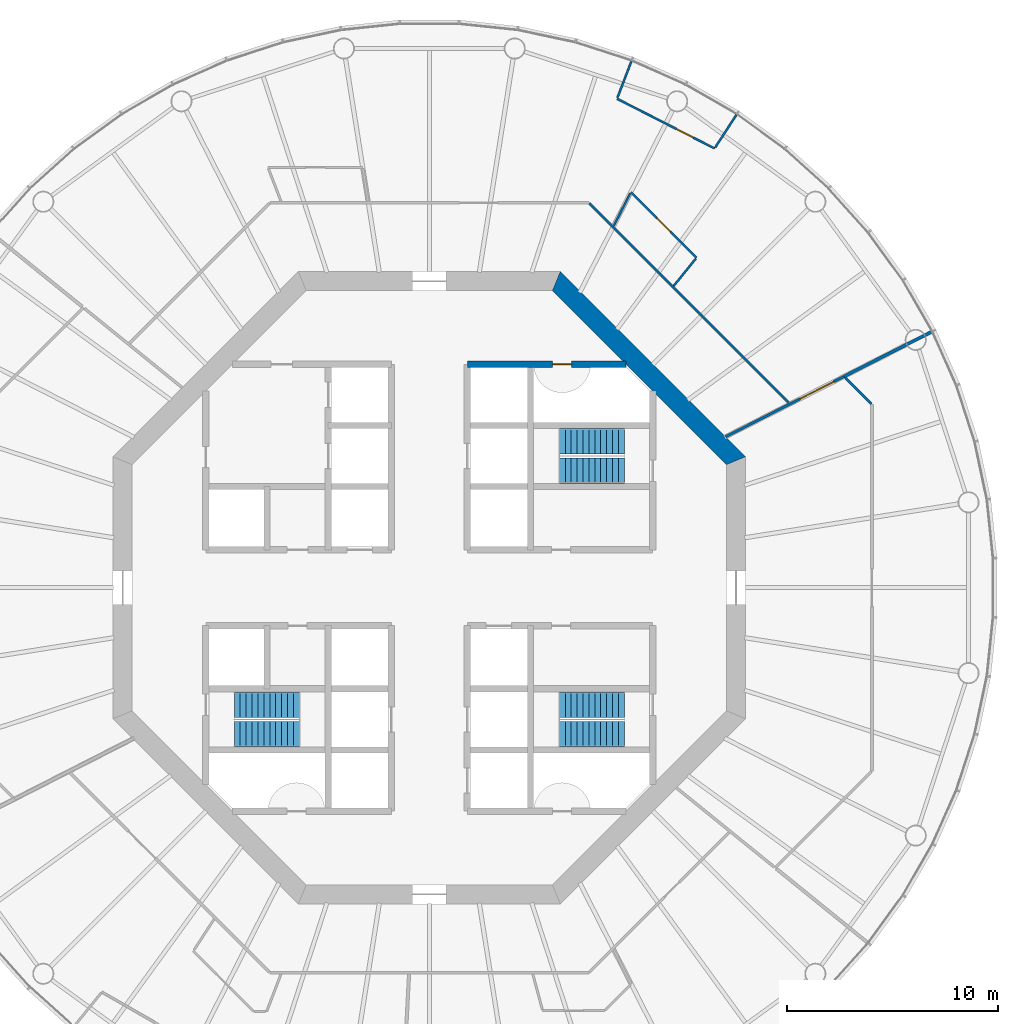
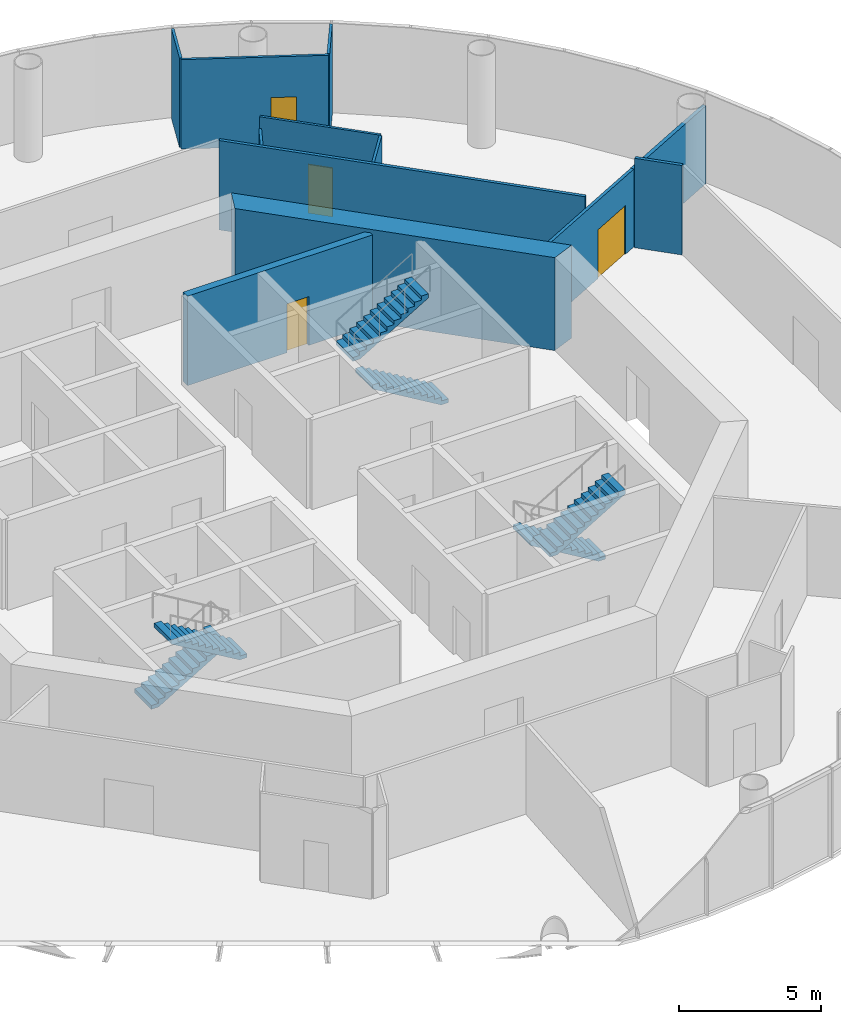
# One storey, part 5 of 12: 12 walls, 6 stair flights, 4 doors, 4 openings, 3 elements without a shape of their own.
"""IFC4 building model written with IfcOpenShell, lengths in metres."""

from ifc_helpers import new_model, si_unit, direction, frame, frame_2d, origin, place, context, subcontext, project, spatial, polyline, rectangle, outline, extrude, material, layer, layer_set, type_object, element, fill, aggregate, save


model = new_model("IFC4")

# Units and contexts
model_context = context("Model", 3, precision=1e-05, world=origin(), true_north=direction((0.0, 1.0)))
body_context = subcontext(model_context, "Body", "Model", "MODEL_VIEW")
ifc_project = project(units=[si_unit("LENGTHUNIT", "METRE"), si_unit("AREAUNIT", "SQUARE_METRE"), si_unit("VOLUMEUNIT", "CUBIC_METRE"), si_unit("PLANEANGLEUNIT", "RADIAN"), si_unit("MASSUNIT", "GRAM", prefix="KILO")], contexts=[model_context])

# Site, building, storey
site_placement = place(None, origin())
site = spatial("IfcSite", under=ifc_project, at=site_placement, CompositionType="ELEMENT")
building_placement = place(site_placement, origin())
building = spatial("IfcBuilding", under=site, at=building_placement, Name="Entoto Ring Tower", CompositionType="ELEMENT")
storey_placement = place(building_placement, frame((0.0, 0.0, 254.0)))
storey = spatial("IfcBuildingStorey", under=building, at=storey_placement, Name="L58", CompositionType="ELEMENT", Elevation=254.0)

# Wall, opening, door
ifc_material_1 = material(Name="Concrete C40/50", Category="concrete")
ifc_layer_1 = layer(ifc_material_1, 0.300048828125)
ifc_layer_set_1 = layer_set([ifc_layer_1], Name="Concrete C40/50")
wall_type_1 = type_object("IfcWallType", Name="Core enclosure wall 300 mm reinforced concrete", PredefinedType="SOLIDWALL", material=ifc_layer_set_1)
wall_1_placement = place(storey_placement, frame((91.800048828125, 90.60009765625, 0.0), z_axis=(0.0, 0.0, 1.0), x_axis=(1.0, 0.0, 0.0)))
wall_1 = element("IfcWall", 1, at=wall_1_placement, inside=storey, type_object=wall_type_1, Name="wall-L58-030", PredefinedType="SOLIDWALL", context=body_context, shape_type="SweptSolid", body=[
    extrude(rectangle(XDim=7.540283203125, YDim=0.300048828125, at=frame_2d((3.77001953125, 0.0))), origin(), (0.0, 0.0, 1.0), 3.85009765625),
])
opening_1_placement = place(wall_1_placement, frame((4.050048828125, 0.0, 0.0)))
opening_1 = element("IfcOpeningElement", 2, at=opening_1_placement, cuts=wall_1, Name="Opening K-60", PredefinedType="OPENING", context=body_context, shape_type="SweptSolid", body=[
    extrude(rectangle(XDim=0.89990234375, YDim=2.10009765625, at=frame_2d((0.449951171875, 1.050048828125))), frame((0.0, 0.16015625, 0.0), z_axis=(0.0, -1.0, 0.0), x_axis=(1.0, 0.0, 0.0)), (0.0, 0.0, 1.0), 0.320068359375),
])
ifc_material_2 = material(Name="Steel door leaf, fire rated", Category="steel")
ifc_layer_2 = layer(ifc_material_2, 0.050048828125)
ifc_layer_set_2 = layer_set([ifc_layer_2], Name="Steel door leaf, fire rated")
door_type_1 = type_object("IfcDoorType", Name="Riser door FD60 900 x 2100 single leaf", OperationType="NOTDEFINED", PredefinedType="DOOR", material=ifc_layer_set_2)
door_1_placement = place(opening_1_placement, frame((0.89990234375, 0.0, 0.0), z_axis=(0.0, 0.0, 1.0), x_axis=(-1.0, 0.0, 0.0)))
door_1 = element("IfcDoor", 3, at=door_1_placement, inside=storey, type_object=door_type_1, Name="Door K-60", OperationType="SINGLE_SWING_RIGHT", OverallHeight=2.10009765625, OverallWidth=0.89990234375, PredefinedType="DOOR", context=body_context, shape_type="SweptSolid", body=[
    extrude(rectangle(XDim=0.89990234375, YDim=2.10009765625, at=frame_2d((0.449951171875, 1.050048828125))), frame((0.0, 0.02490234375, 0.0), z_axis=(0.0, -1.0, 0.0), x_axis=(1.0, 0.0, 0.0)), (0.0, 0.0, 1.0), 0.050048828125),
])
fill(opening_1, door_1)

# Walls
ifc_material_3 = material(Name="Concrete C50/60", Category="concrete")
ifc_layer_3 = layer(ifc_material_3, 0.89990234375)
ifc_layer_set_3 = layer_set([ifc_layer_3], Name="Concrete C50/60")
wall_type_2 = type_object("IfcWallType", Name="Core shear wall 900 mm reinforced concrete C50/60", PredefinedType="SHEAR", material=ifc_layer_set_3)
wall_2_placement = place(storey_placement, frame((104.550048828125, 86.02685546875, 0.0), z_axis=(0.0, 0.0, 1.0), x_axis=(-0.707106781187, 0.707106781187, 0.0)))
element("IfcWall", 4, at=wall_2_placement, inside=storey, type_object=wall_type_2, Name="wall-L58-core-1", PredefinedType="SHEAR", context=body_context, shape_type="SweptSolid", body=[
    extrude(outline(polyline([(-0.186279296875, -0.449951171875), (12.239990234375, -0.449951171875), (11.867431640625, 0.449951171875), (0.186279296875, 0.449951171875), (-0.186279296875, -0.449951171875)])), origin(), (0.0, 0.0, 1.0), 4.0),
])
ifc_material_4 = material(Name="Fire-resisting plasterboard on steel studs", Category="steel")
ifc_layer_4 = layer(ifc_material_4, 0.125)
ifc_layer_set_4 = layer_set([ifc_layer_4], Name="Fire-resisting plasterboard on steel studs")
wall_type_3 = type_object("IfcWallType", Name="Corridor wall 125 mm one-hour plasterboard on steel studs", PredefinedType="PARTITIONING", material=ifc_layer_set_4)
wall_3_placement = place(storey_placement, frame((107.048583984375, 88.7783203125, 0.0), z_axis=(0.0, 0.0, 1.0), x_axis=(-0.707097649982, 0.707115912273, 0.0)))
element("IfcWall", 5, at=wall_3_placement, inside=storey, type_object=wall_type_3, Name="partition-L58-006", PredefinedType="PARTITIONING", context=body_context, shape_type="SweptSolid", body=[
    extrude(rectangle(XDim=13.36865234375, YDim=0.125, at=frame_2d((6.684326171875, 0.0))), origin(), (0.0, 0.0, 1.0), 3.85009765625),
])
wall_4_placement = place(storey_placement, frame((110.968994140625, 88.7294921875, 0.0), z_axis=(0.0, 0.0, 1.0), x_axis=(-0.707106781187, 0.707106781187, 0.0)))
element("IfcWall", 6, at=wall_4_placement, inside=storey, type_object=wall_type_3, Name="partition-L58-016", PredefinedType="PARTITIONING", context=body_context, shape_type="SweptSolid", body=[
    extrude(rectangle(XDim=1.732177734375, YDim=0.125, at=frame_2d((0.8662109375, 0.0))), origin(), (0.0, 0.0, 1.0), 3.85009765625),
])

# Wall, opening, door
ifc_material_5 = material(Name="Fire-resisting plasterboard on steel studs", Category="steel")
ifc_layer_5 = layer(ifc_material_5, 0.125)
ifc_layer_set_5 = layer_set([ifc_layer_5], Name="Fire-resisting plasterboard on steel studs")
wall_type_4 = type_object("IfcWallType", Name="Corridor wall 125 mm one-hour plasterboard on steel studs, 3350 mm high", PredefinedType="PARTITIONING", material=ifc_layer_set_5)
wall_5_placement = place(storey_placement, frame((104.052978515625, 87.160400390625, 0.0), z_axis=(0.0, 0.0, 1.0), x_axis=(0.891011438751, 0.453980854238, 0.0)))
wall_5 = element("IfcWall", 7, at=wall_5_placement, inside=storey, type_object=wall_type_4, Name="partition-L58-011", PredefinedType="PARTITIONING", context=body_context, shape_type="SweptSolid", body=[
    extrude(rectangle(XDim=6.30859375, YDim=0.125, at=frame_2d((3.154296875, 0.0))), origin(), (0.0, 0.0, 1.0), 3.35009765625),
])
opening_2_placement = place(wall_5_placement, frame((3.969482421875, 0.0, 0.0)))
opening_2 = element("IfcOpeningElement", 8, at=opening_2_placement, cuts=wall_5, Name="Opening A25-D04", PredefinedType="OPENING", context=body_context, shape_type="SweptSolid", body=[
    extrude(rectangle(XDim=1.800048828125, YDim=2.10009765625, at=frame_2d((0.89990234375, 1.050048828125))), frame((0.0, 0.072509765625, 0.0), z_axis=(0.0, -1.0, 0.0), x_axis=(1.0, 0.0, 0.0)), (0.0, 0.0, 1.0), 0.14501953125),
])
ifc_material_6 = material(Name="Fire-resisting timber door set", Category="wood")
door_type_2 = type_object("IfcDoorType", Name="Door 1800 x 2100 double leaf FD30S fire door", OperationType="DOUBLE_DOOR_SINGLE_SWING", PredefinedType="DOOR", material=ifc_material_6)
door_2_placement = place(opening_2_placement, origin())
door_2 = element("IfcDoor", 9, at=door_2_placement, inside=storey, type_object=door_type_2, Name="Door A25-D04", OperationType="DOUBLE_DOOR_SINGLE_SWING", OverallHeight=2.10009765625, OverallWidth=1.800048828125, PredefinedType="DOOR", context=body_context, shape_type="SweptSolid", body=[
    extrude(rectangle(XDim=1.800048828125, YDim=2.10009765625, at=frame_2d((0.89990234375, 1.050048828125))), frame((0.0, 0.02490234375, 0.0), z_axis=(0.0, -1.0, 0.0), x_axis=(1.0, 0.0, 0.0)), (0.0, 0.0, 1.0), 0.050048828125),
])
fill(opening_2, door_2)

ifc_material_7 = material(Name="Plasterboard on steel studs", Category="steel")
ifc_layer_6 = layer(ifc_material_7, 0.10009765625)
ifc_layer_set_6 = layer_set([ifc_layer_6], Name="Plasterboard on steel studs")
wall_type_5 = type_object("IfcWallType", Name="Partition 100 mm plasterboard on steel studs", PredefinedType="PARTITIONING", material=ifc_layer_set_6)
wall_6_placement = place(storey_placement, frame((103.5341796875, 100.841064453125, 0.0), z_axis=(0.0, 0.0, 1.0), x_axis=(-0.891008292102, 0.453987029997, 0.0)))
wall_6 = element("IfcWall", 10, at=wall_6_placement, inside=storey, type_object=wall_type_5, Name="partition-L58-023", PredefinedType="PARTITIONING", context=body_context, shape_type="SweptSolid", body=[
    extrude(rectangle(XDim=5.19482421875, YDim=0.10009765625, at=frame_2d((2.597412109375, 0.0))), origin(), (0.0, 0.0, 1.0), 3.85009765625),
])
opening_3_placement = place(wall_6_placement, frame((1.12890625, 0.0, 0.0)))
opening_3 = element("IfcOpeningElement", 11, at=opening_3_placement, cuts=wall_6, Name="Opening A25-D07", PredefinedType="OPENING", context=body_context, shape_type="SweptSolid", body=[
    extrude(rectangle(XDim=0.89990234375, YDim=2.10009765625, at=frame_2d((0.449951171875, 1.050048828125))), frame((0.0, 0.06005859375, 0.0), z_axis=(0.0, -1.0, 0.0), x_axis=(1.0, 0.0, 0.0)), (0.0, 0.0, 1.0), 0.1201171875),
])
ifc_material_8 = material(Name="Veneered timber door leaf in timber frame", Category="wood")
door_type_3 = type_object("IfcDoorType", Name="Door 900 x 2100 single leaf timber veneer", OperationType="NOTDEFINED", PredefinedType="DOOR", material=ifc_material_8)
door_3_placement = place(opening_3_placement, frame((0.89990234375, 0.0, 0.0), z_axis=(0.0, 0.0, 1.0), x_axis=(-1.0, 0.0, 0.0)))
door_3 = element("IfcDoor", 12, at=door_3_placement, inside=storey, type_object=door_type_3, Name="Door A25-D07", OperationType="SINGLE_SWING_RIGHT", OverallHeight=2.10009765625, OverallWidth=0.89990234375, PredefinedType="DOOR", context=body_context, shape_type="SweptSolid", body=[
    extrude(rectangle(XDim=0.89990234375, YDim=2.10009765625, at=frame_2d((0.449951171875, 1.050048828125))), frame((0.0, 0.02490234375, 0.0), z_axis=(0.0, -1.0, 0.0), x_axis=(1.0, 0.0, 0.0)), (0.0, 0.0, 1.0), 0.050048828125),
])
fill(opening_3, door_3)

wall_7_placement = place(storey_placement, frame((102.67626953125, 95.65380859375, 0.0), z_axis=(0.0, 0.0, 1.0), x_axis=(-0.707106781187, 0.707106781187, 0.0)))
wall_7 = element("IfcWall", 13, at=wall_7_placement, inside=storey, type_object=wall_type_5, Name="partition-L58-026", PredefinedType="PARTITIONING", context=body_context, shape_type="SweptSolid", body=[
    extrude(rectangle(XDim=4.403564453125, YDim=0.10009765625, at=frame_2d((2.20166015625, 0.0))), origin(), (0.0, 0.0, 1.0), 3.85009765625),
])
opening_4_placement = place(wall_7_placement, frame((1.751708984375, 0.0, 0.0)))
opening_4 = element("IfcOpeningElement", 14, at=opening_4_placement, cuts=wall_7, Name="Opening A25-D05", PredefinedType="OPENING", context=body_context, shape_type="SweptSolid", body=[
    extrude(rectangle(XDim=0.89990234375, YDim=2.10009765625, at=frame_2d((0.449951171875, 1.050048828125))), frame((0.0, 0.06005859375, 0.0), z_axis=(0.0, -1.0, 0.0), x_axis=(1.0, 0.0, 0.0)), (0.0, 0.0, 1.0), 0.1201171875),
])
door_4_placement = place(opening_4_placement, origin())
door_4 = element("IfcDoor", 15, at=door_4_placement, inside=storey, type_object=door_type_3, Name="Door A25-D05", OperationType="SINGLE_SWING_RIGHT", OverallHeight=2.10009765625, OverallWidth=0.89990234375, PredefinedType="DOOR", context=body_context, shape_type="SweptSolid", body=[
    extrude(rectangle(XDim=0.89990234375, YDim=2.10009765625, at=frame_2d((0.449951171875, 1.050048828125))), frame((0.0, 0.02490234375, 0.0), z_axis=(0.0, -1.0, 0.0), x_axis=(1.0, 0.0, 0.0)), (0.0, 0.0, 1.0), 0.050048828125),
])
fill(opening_4, door_4)

# Walls
for number, where, z_axis, x_axis, name in (
    (16, (98.923095703125, 103.245849609375, 0.0), (0.0, 0.0, 1.0), (0.358454526413, 0.933547188145, 0.0), "partition-L58-035"),
    (17, (103.561279296875, 100.882568359375, 0.0), (0.0, 0.0, 1.0), (0.544680573421, 0.838643591127, 0.0), "partition-L58-036"),
):
    element("IfcWall", number, at=place(storey_placement, frame(where, z_axis=z_axis, x_axis=x_axis)), inside=storey, type_object=wall_type_5, Name=name, PredefinedType="PARTITIONING", context=body_context, shape_type="SweptSolid", body=[
        extrude(rectangle(XDim=1.84033203125, YDim=0.10009765625, at=frame_2d((0.920166015625, 0.0))), origin(), (0.0, 0.0, 1.0), 3.85009765625),
    ])
wall_8_placement = place(storey_placement, frame((101.59912109375, 94.32373046875, 0.0), z_axis=(0.0, 0.0, 1.0), x_axis=(0.629341903283, 0.777128540701, 0.0)))
element("IfcWall", 18, at=wall_8_placement, inside=storey, type_object=wall_type_5, Name="partition-L58-042", PredefinedType="PARTITIONING", context=body_context, shape_type="SweptSolid", body=[
    extrude(rectangle(XDim=1.661865234375, YDim=0.10009765625, at=frame_2d((0.8310546875, 0.0))), origin(), (0.0, 0.0, 1.0), 3.85009765625),
])
ifc_material_9 = material(Name="Plasterboard on steel studs", Category="steel")
ifc_layer_7 = layer(ifc_material_9, 0.10009765625)
ifc_layer_set_7 = layer_set([ifc_layer_7], Name="Plasterboard on steel studs")
wall_type_6 = type_object("IfcWallType", Name="Partition 100 mm plasterboard on steel studs, 3350 mm high", PredefinedType="PARTITIONING", material=ifc_layer_set_7)
wall_9_placement = place(storey_placement, frame((98.7548828125, 97.182373046875, 0.0), z_axis=(0.0, 0.0, 1.0), x_axis=(0.453994195604, 0.891004641042, 0.0)))
element("IfcWall", 19, at=wall_9_placement, inside=storey, type_object=wall_type_6, Name="partition-L58-039", PredefinedType="PARTITIONING", context=body_context, shape_type="SweptSolid", body=[
    extrude(rectangle(XDim=1.710693359375, YDim=0.10009765625, at=frame_2d((0.85546875, 0.0))), origin(), (0.0, 0.0, 1.0), 3.35009765625),
])
ifc_material_10 = material(Name="Fire-resisting acoustic plasterboard on steel studs", Category="steel")
ifc_layer_8 = layer(ifc_material_10, 0.14990234375)
ifc_layer_set_8 = layer_set([ifc_layer_8], Name="Fire-resisting acoustic plasterboard on steel studs")
wall_type_7 = type_object("IfcWallType", Name="Party wall 150 mm one-hour acoustic plasterboard on steel studs, 3350 mm high", PredefinedType="PARTITIONING", material=ifc_layer_set_8)
wall_10_placement = place(storey_placement, frame((109.67431640625, 90.0244140625, 0.0), z_axis=(0.0, 0.0, 1.0), x_axis=(0.89099510326, 0.454012913877, 0.0)))
element("IfcWall", 20, at=wall_10_placement, inside=storey, type_object=wall_type_7, Name="partition-L58-020", PredefinedType="PARTITIONING", context=body_context, shape_type="SweptSolid", body=[
    extrude(rectangle(XDim=4.658935546875, YDim=0.14990234375, at=frame_2d((2.32958984375, 0.0))), origin(), (0.0, 0.0, 1.0), 3.35009765625),
])

# Stair, stair flights
ifc_material_11 = material(Name="Concrete C40/50", Category="concrete")
stair_type = type_object("IfcStairType", Name="Exit stair 1200 mm dog-leg reinforced concrete", PredefinedType="HALF_TURN_STAIR", material=ifc_material_11)
stair_1_placement = place(storey_placement, origin())
stair_1 = element("IfcStair", 21, at=stair_1_placement, inside=storey, type_object=stair_type, Name="Exit stair 1", PredefinedType="HALF_TURN_STAIR")
ifc_material_12 = material(Name="Concrete C40/50", Category="concrete")
stair_flight_type = type_object("IfcStairFlightType", Name="Stair flight 1200 mm reinforced concrete", PredefinedType="STRAIGHT", material=ifc_material_12)
stair_flight_1_placement = place(storey_placement, frame((99.25, 85.550048828125, 0.0), z_axis=(0.0, 0.0, 1.0), x_axis=(-1.0, 0.0, 0.0)))
stair_flight_1 = element("IfcStairFlight", 22, at=stair_flight_1_placement, type_object=stair_flight_type, Name="ST1 flight 1", NumberOfRisers=12, NumberOfTreads=11, PredefinedType="STRAIGHT", RiserHeight=0.166666667, TreadLength=0.28, context=body_context, shape_type="SweptSolid", body=[
    extrude(outline(polyline([(0.0, 0.0), (0.0, 0.166748046875), (0.280029296875, 0.166748046875), (0.280029296875, 0.333251953125), (0.56005859375, 0.333251953125), (0.56005859375, 0.5), (0.840087890625, 0.5), (0.840087890625, 0.666748046875), (1.1201171875, 0.666748046875), (1.1201171875, 0.833251953125), (1.39990234375, 0.833251953125), (1.39990234375, 1.0), (1.679931640625, 1.0), (1.679931640625, 1.166748046875), (1.9599609375, 1.166748046875), (1.9599609375, 1.333251953125), (2.239990234375, 1.333251953125), (2.239990234375, 1.5), (2.52001953125, 1.5), (2.52001953125, 1.666748046875), (2.800048828125, 1.666748046875), (2.800048828125, 1.833251953125), (3.080078125, 1.833251953125), (3.080078125, 2.0), (3.080078125, 1.658935546875), (0.29296875, 0.0), (0.0, 0.0)])), frame((0.0, 0.60009765625, 0.0), z_axis=(0.0, -1.0, 0.0), x_axis=(1.0, 0.0, 0.0)), (0.0, 0.0, 1.0), 1.199951171875),
])
stair_flight_2_placement = place(storey_placement, frame((96.169921875, 86.949951171875, 2.0), z_axis=(0.0, 0.0, 1.0), x_axis=(1.0, 0.0, 0.0)))
stair_flight_2 = element("IfcStairFlight", 23, at=stair_flight_2_placement, type_object=stair_flight_type, Name="ST1 flight 2", NumberOfRisers=12, NumberOfTreads=11, PredefinedType="STRAIGHT", RiserHeight=0.166666667, TreadLength=0.28, context=body_context, shape_type="SweptSolid", body=[
    extrude(outline(polyline([(0.0, 0.0), (0.0, 0.166748046875), (0.280029296875, 0.166748046875), (0.280029296875, 0.333251953125), (0.56005859375, 0.333251953125), (0.56005859375, 0.5), (0.840087890625, 0.5), (0.840087890625, 0.666748046875), (1.1201171875, 0.666748046875), (1.1201171875, 0.833251953125), (1.39990234375, 0.833251953125), (1.39990234375, 1.0), (1.679931640625, 1.0), (1.679931640625, 1.166748046875), (1.9599609375, 1.166748046875), (1.9599609375, 1.333251953125), (2.239990234375, 1.333251953125), (2.239990234375, 1.5), (2.52001953125, 1.5), (2.52001953125, 1.666748046875), (2.800048828125, 1.666748046875), (2.800048828125, 1.833251953125), (3.080078125, 1.833251953125), (3.080078125, 2.0), (3.080078125, 1.658935546875), (0.29296875, 0.0), (0.0, 0.0)])), frame((0.0, 0.60009765625, 0.0), z_axis=(0.0, -1.0, 0.0), x_axis=(1.0, 0.0, 0.0)), (0.0, 0.0, 1.0), 1.199951171875),
])
aggregate(stair_1, [stair_flight_1, stair_flight_2])

stair_2_placement = place(storey_placement, origin())
stair_2 = element("IfcStair", 24, at=stair_2_placement, inside=storey, type_object=stair_type, Name="Exit stair 2", PredefinedType="HALF_TURN_STAIR")
stair_flight_3_placement = place(storey_placement, frame((80.75, 74.449951171875, 0.0), z_axis=(0.0, 0.0, 1.0), x_axis=(1.0, 0.0, 0.0)))
stair_flight_3 = element("IfcStairFlight", 25, at=stair_flight_3_placement, type_object=stair_flight_type, Name="ST2 flight 1", NumberOfRisers=12, NumberOfTreads=11, PredefinedType="STRAIGHT", RiserHeight=0.166666667, TreadLength=0.28, context=body_context, shape_type="SweptSolid", body=[
    extrude(outline(polyline([(0.0, 0.0), (0.0, 0.166748046875), (0.280029296875, 0.166748046875), (0.280029296875, 0.333251953125), (0.56005859375, 0.333251953125), (0.56005859375, 0.5), (0.840087890625, 0.5), (0.840087890625, 0.666748046875), (1.1201171875, 0.666748046875), (1.1201171875, 0.833251953125), (1.39990234375, 0.833251953125), (1.39990234375, 1.0), (1.679931640625, 1.0), (1.679931640625, 1.166748046875), (1.9599609375, 1.166748046875), (1.9599609375, 1.333251953125), (2.239990234375, 1.333251953125), (2.239990234375, 1.5), (2.52001953125, 1.5), (2.52001953125, 1.666748046875), (2.800048828125, 1.666748046875), (2.800048828125, 1.833251953125), (3.080078125, 1.833251953125), (3.080078125, 2.0), (3.080078125, 1.658935546875), (0.29296875, 0.0), (0.0, 0.0)])), frame((0.0, 0.60009765625, 0.0), z_axis=(0.0, -1.0, 0.0), x_axis=(1.0, 0.0, 0.0)), (0.0, 0.0, 1.0), 1.199951171875),
])
stair_flight_4_placement = place(storey_placement, frame((83.830078125, 73.050048828125, 2.0), z_axis=(0.0, 0.0, 1.0), x_axis=(-1.0, 0.0, 0.0)))
stair_flight_4 = element("IfcStairFlight", 26, at=stair_flight_4_placement, type_object=stair_flight_type, Name="ST2 flight 2", NumberOfRisers=12, NumberOfTreads=11, PredefinedType="STRAIGHT", RiserHeight=0.166666667, TreadLength=0.28, context=body_context, shape_type="SweptSolid", body=[
    extrude(outline(polyline([(0.0, 0.0), (0.0, 0.166748046875), (0.280029296875, 0.166748046875), (0.280029296875, 0.333251953125), (0.56005859375, 0.333251953125), (0.56005859375, 0.5), (0.840087890625, 0.5), (0.840087890625, 0.666748046875), (1.1201171875, 0.666748046875), (1.1201171875, 0.833251953125), (1.39990234375, 0.833251953125), (1.39990234375, 1.0), (1.679931640625, 1.0), (1.679931640625, 1.166748046875), (1.9599609375, 1.166748046875), (1.9599609375, 1.333251953125), (2.239990234375, 1.333251953125), (2.239990234375, 1.5), (2.52001953125, 1.5), (2.52001953125, 1.666748046875), (2.800048828125, 1.666748046875), (2.800048828125, 1.833251953125), (3.080078125, 1.833251953125), (3.080078125, 2.0), (3.080078125, 1.658935546875), (0.29296875, 0.0), (0.0, 0.0)])), frame((0.0, 0.60009765625, 0.0), z_axis=(0.0, -1.0, 0.0), x_axis=(1.0, 0.0, 0.0)), (0.0, 0.0, 1.0), 1.199951171875),
])
aggregate(stair_2, [stair_flight_3, stair_flight_4])

stair_3_placement = place(storey_placement, origin())
stair_3 = element("IfcStair", 27, at=stair_3_placement, inside=storey, type_object=stair_type, Name="Exit stair 3", PredefinedType="HALF_TURN_STAIR")
stair_flight_5_placement = place(storey_placement, frame((99.25, 74.449951171875, 0.0), z_axis=(0.0, 0.0, 1.0), x_axis=(-1.0, 0.0, 0.0)))
stair_flight_5 = element("IfcStairFlight", 28, at=stair_flight_5_placement, type_object=stair_flight_type, Name="ST3 flight 1", NumberOfRisers=12, NumberOfTreads=11, PredefinedType="STRAIGHT", RiserHeight=0.166666667, TreadLength=0.28, context=body_context, shape_type="SweptSolid", body=[
    extrude(outline(polyline([(0.0, 0.0), (0.0, 0.166748046875), (0.280029296875, 0.166748046875), (0.280029296875, 0.333251953125), (0.56005859375, 0.333251953125), (0.56005859375, 0.5), (0.840087890625, 0.5), (0.840087890625, 0.666748046875), (1.1201171875, 0.666748046875), (1.1201171875, 0.833251953125), (1.39990234375, 0.833251953125), (1.39990234375, 1.0), (1.679931640625, 1.0), (1.679931640625, 1.166748046875), (1.9599609375, 1.166748046875), (1.9599609375, 1.333251953125), (2.239990234375, 1.333251953125), (2.239990234375, 1.5), (2.52001953125, 1.5), (2.52001953125, 1.666748046875), (2.800048828125, 1.666748046875), (2.800048828125, 1.833251953125), (3.080078125, 1.833251953125), (3.080078125, 2.0), (3.080078125, 1.658935546875), (0.29296875, 0.0), (0.0, 0.0)])), frame((0.0, 0.60009765625, 0.0), z_axis=(0.0, -1.0, 0.0), x_axis=(1.0, 0.0, 0.0)), (0.0, 0.0, 1.0), 1.199951171875),
])
stair_flight_6_placement = place(storey_placement, frame((96.169921875, 73.050048828125, 2.0), z_axis=(0.0, 0.0, 1.0), x_axis=(1.0, 0.0, 0.0)))
stair_flight_6 = element("IfcStairFlight", 29, at=stair_flight_6_placement, type_object=stair_flight_type, Name="ST3 flight 2", NumberOfRisers=12, NumberOfTreads=11, PredefinedType="STRAIGHT", RiserHeight=0.166666667, TreadLength=0.28, context=body_context, shape_type="SweptSolid", body=[
    extrude(outline(polyline([(0.0, 0.0), (0.0, 0.166748046875), (0.280029296875, 0.166748046875), (0.280029296875, 0.333251953125), (0.56005859375, 0.333251953125), (0.56005859375, 0.5), (0.840087890625, 0.5), (0.840087890625, 0.666748046875), (1.1201171875, 0.666748046875), (1.1201171875, 0.833251953125), (1.39990234375, 0.833251953125), (1.39990234375, 1.0), (1.679931640625, 1.0), (1.679931640625, 1.166748046875), (1.9599609375, 1.166748046875), (1.9599609375, 1.333251953125), (2.239990234375, 1.333251953125), (2.239990234375, 1.5), (2.52001953125, 1.5), (2.52001953125, 1.666748046875), (2.800048828125, 1.666748046875), (2.800048828125, 1.833251953125), (3.080078125, 1.833251953125), (3.080078125, 2.0), (3.080078125, 1.658935546875), (0.29296875, 0.0), (0.0, 0.0)])), frame((0.0, 0.60009765625, 0.0), z_axis=(0.0, -1.0, 0.0), x_axis=(1.0, 0.0, 0.0)), (0.0, 0.0, 1.0), 1.199951171875),
])
aggregate(stair_3, [stair_flight_5, stair_flight_6])

save(model, "model.ifc")
